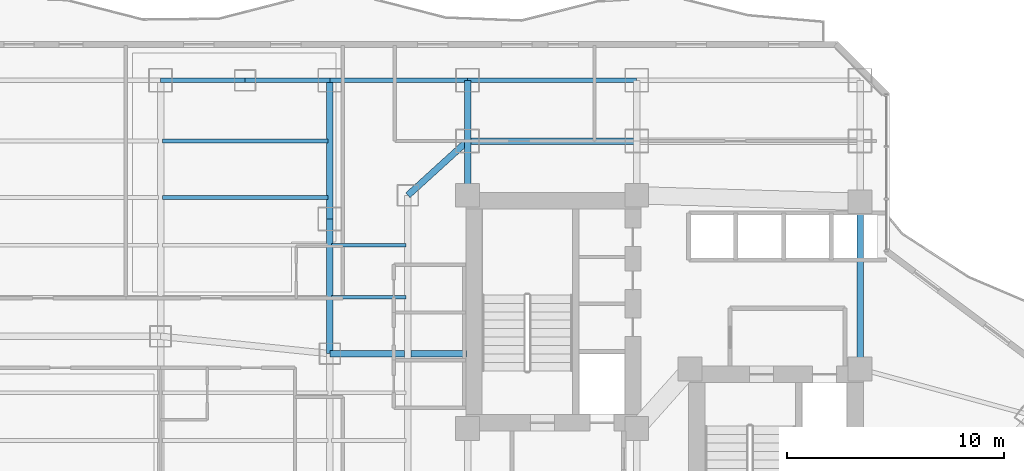
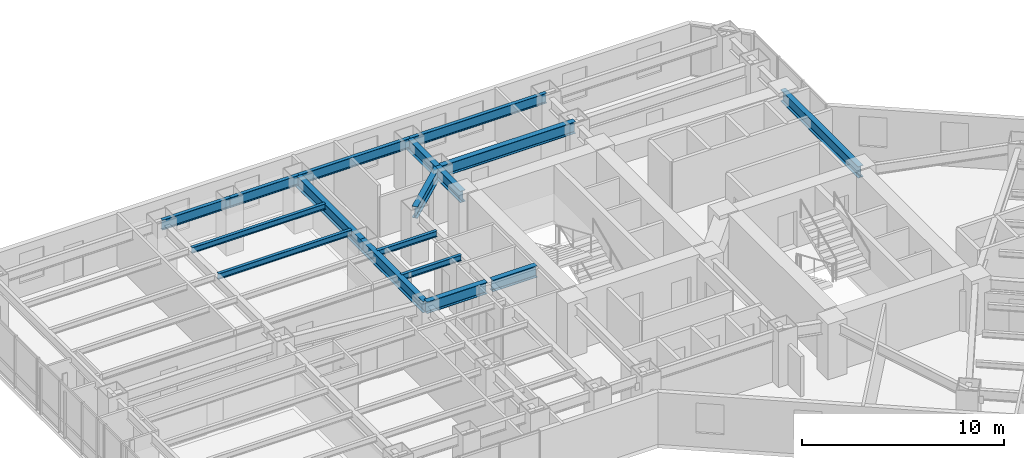
# One storey, part 17 of 37: 17 beams.
"""IFC4 building model written with IfcOpenShell, lengths in metres."""

from ifc_helpers import new_model, si_unit, direction, frame, origin, origin_2d, place, context, subcontext, project, spatial, i_section, extrude, material, material_profile, profile_set, type_object, element, save


model = new_model("IFC4")

# Units and contexts
model_context = context("Model", 3, precision=1e-05, world=origin(), true_north=direction((0.0, 1.0)))
body_context = subcontext(model_context, "Body", "Model", "MODEL_VIEW")
ifc_project = project(units=[si_unit("LENGTHUNIT", "METRE"), si_unit("AREAUNIT", "SQUARE_METRE"), si_unit("VOLUMEUNIT", "CUBIC_METRE"), si_unit("PLANEANGLEUNIT", "RADIAN"), si_unit("MASSUNIT", "GRAM", prefix="KILO")], contexts=[model_context])

# Site, building, storey
site_placement = place(None, origin())
site = spatial("IfcSite", under=ifc_project, at=site_placement, CompositionType="ELEMENT")
building_placement = place(site_placement, origin())
building = spatial("IfcBuilding", under=site, at=building_placement, Name="Hatsunagi Terrace Concourse", CompositionType="ELEMENT")
storey_placement = place(building_placement, frame((0.0, 0.0, 39.949951171875)))
storey = spatial("IfcBuildingStorey", under=building, at=storey_placement, Name="L09", CompositionType="ELEMENT", Elevation=39.949951171875)

# Beams
ifc_material_1 = material(Name="Steel SN490B", Category="steel")
ifc_material_profile_1 = material_profile(ifc_material_1, i_section(OverallWidth=0.300048828125, OverallDepth=0.699951171875, WebThickness=0.012939453125, FlangeThickness=0.02392578125, FilletRadius=0.02197265625, at=origin_2d()), Name="H-700x300x13x24")
ifc_profile_set_1 = profile_set([ifc_material_profile_1], Name="Steel SN490B")
beam_type_1 = type_object("IfcBeamType", Name="HotelFloorGirder_H_700x300", PredefinedType="BEAM", material=ifc_profile_set_1)
beam_1_placement = place(storey_placement, frame((43.64990234375, 35.300048828125, 2.780029296875), z_axis=(0.0, 1.0, 0.0), x_axis=(-1.0, 0.0, 0.0)))
element("IfcBeam", 1, at=beam_1_placement, inside=storey, type_object=beam_type_1, Name="Beam G-04 BM-L09-CBK3", PredefinedType="BEAM", context=body_context, shape_type="SweptSolid", body=[
    extrude(i_section(OverallWidth=0.300048828125, OverallDepth=0.699951171875, WebThickness=0.012939453125, FlangeThickness=0.02392578125, FilletRadius=0.02197265625, at=origin_2d()), origin(), (0.0, 0.0, 1.0), 7.699951171875),
])
beam_2_placement = place(storey_placement, frame((25.550048828125, 43.300048828125, 2.780029296875), z_axis=(0.0, 1.0, 0.0), x_axis=(-1.0, 0.0, 0.0)))
element("IfcBeam", 2, at=beam_2_placement, inside=storey, type_object=beam_type_1, Name="Beam G-04 BM-L09-CN1", PredefinedType="BEAM", context=body_context, shape_type="SweptSolid", body=[
    extrude(i_section(OverallWidth=0.300048828125, OverallDepth=0.699951171875, WebThickness=0.012939453125, FlangeThickness=0.02392578125, FilletRadius=0.02197265625, at=origin_2d()), origin(), (0.0, 0.0, 1.0), 2.5),
])
beam_3_placement = place(storey_placement, frame((25.550048828125, 45.800048828125, 2.780029296875), z_axis=(1.0, 0.0, 0.0), x_axis=(0.0, 1.0, 0.0)))
element("IfcBeam", 3, at=beam_3_placement, inside=storey, type_object=beam_type_1, Name="Beam G-04 BM-L09-CNEW1", PredefinedType="BEAM", context=body_context, shape_type="SweptSolid", body=[
    extrude(i_section(OverallWidth=0.300048828125, OverallDepth=0.699951171875, WebThickness=0.012939453125, FlangeThickness=0.02392578125, FilletRadius=0.02197265625, at=origin_2d()), origin(), (0.0, 0.0, 1.0), 7.800048828125),
])
beam_4_placement = place(storey_placement, frame((25.550048828125, 45.800048828125, 2.780029296875), z_axis=(0.0, 1.0, 0.0), x_axis=(-1.0, 0.0, 0.0)))
element("IfcBeam", 4, at=beam_4_placement, inside=storey, type_object=beam_type_1, Name="Beam G-04 BM-L09-KN-WN4", PredefinedType="BEAM", context=body_context, shape_type="SweptSolid", body=[
    extrude(i_section(OverallWidth=0.300048828125, OverallDepth=0.699951171875, WebThickness=0.012939453125, FlangeThickness=0.02392578125, FilletRadius=0.02197265625, at=origin_2d()), origin(), (0.0, 0.0, 1.0), 2.800048828125),
])
beam_5_placement = place(storey_placement, frame((22.800048828125, 43.300048828125, 2.780029296875), z_axis=(0.739940073396, 0.672672793996, 0.0), x_axis=(-0.672672793996, 0.739940073396, 0.0)))
element("IfcBeam", 5, at=beam_5_placement, inside=storey, type_object=beam_type_1, Name="Beam G-04 BM-L09-CWEW-N", PredefinedType="BEAM", context=body_context, shape_type="SweptSolid", body=[
    extrude(i_section(OverallWidth=0.300048828125, OverallDepth=0.699951171875, WebThickness=0.012939453125, FlangeThickness=0.02392578125, FilletRadius=0.02197265625, at=origin_2d()), origin(), (0.0, 0.0, 1.0), 3.716552734375),
])
beam_6_placement = place(storey_placement, frame((19.199951171875, 36.0, 2.780029296875), z_axis=(0.0, 1.0, 0.0), x_axis=(-1.0, 0.0, 0.0)))
element("IfcBeam", 6, at=beam_6_placement, inside=storey, type_object=beam_type_1, Name="Beam G-04 BM-L09-NS-19-36", PredefinedType="BEAM", context=body_context, shape_type="SweptSolid", body=[
    extrude(i_section(OverallWidth=0.300048828125, OverallDepth=0.699951171875, WebThickness=0.012939453125, FlangeThickness=0.02392578125, FilletRadius=0.02197265625, at=origin_2d()), origin(), (0.0, 0.0, 1.0), 6.199951171875),
])
beam_7_placement = place(storey_placement, frame((19.199951171875, 42.199951171875, 2.780029296875), z_axis=(0.0, 1.0, 0.0), x_axis=(-1.0, 0.0, 0.0)))
element("IfcBeam", 7, at=beam_7_placement, inside=storey, type_object=beam_type_1, Name="Beam G-04 BM-L09-NS-19-42", PredefinedType="BEAM", context=body_context, shape_type="SweptSolid", body=[
    extrude(i_section(OverallWidth=0.300048828125, OverallDepth=0.699951171875, WebThickness=0.012939453125, FlangeThickness=0.02392578125, FilletRadius=0.02197265625, at=origin_2d()), origin(), (0.0, 0.0, 1.0), 6.400146484375),
])
beam_8_placement = place(storey_placement, frame((19.199951171875, 36.0, 2.780029296875), z_axis=(1.0, 0.0, 0.0), x_axis=(0.0, 1.0, 0.0)))
element("IfcBeam", 8, at=beam_8_placement, inside=storey, type_object=beam_type_1, Name="Beam G-04 BM-L09-EW-3", PredefinedType="BEAM", context=body_context, shape_type="SweptSolid", body=[
    extrude(i_section(OverallWidth=0.300048828125, OverallDepth=0.699951171875, WebThickness=0.012939453125, FlangeThickness=0.02392578125, FilletRadius=0.02197265625, at=origin_2d()), origin(), (0.0, 0.0, 1.0), 3.449951171875),
])
beam_9_placement = place(storey_placement, frame((22.949951171875, 36.0, 2.780029296875), z_axis=(1.0, 0.0, 0.0), x_axis=(0.0, 1.0, 0.0)))
element("IfcBeam", 9, at=beam_9_placement, inside=storey, type_object=beam_type_1, Name="Beam G-04 BM-L09-EW-4", PredefinedType="BEAM", context=body_context, shape_type="SweptSolid", body=[
    extrude(i_section(OverallWidth=0.300048828125, OverallDepth=0.699951171875, WebThickness=0.012939453125, FlangeThickness=0.02392578125, FilletRadius=0.02197265625, at=origin_2d()), origin(), (0.0, 0.0, 1.0), 2.56005859375),
])
ifc_material_2 = material(Name="Steel SN490B", Category="steel")
ifc_material_profile_2 = material_profile(ifc_material_2, i_section(OverallWidth=0.175048828125, OverallDepth=0.35009765625, WebThickness=0.007080078125, FlangeThickness=0.010986328125, FilletRadius=0.012939453125, at=origin_2d()), Name="H-350x175x7x11")
ifc_profile_set_2 = profile_set([ifc_material_profile_2], Name="Steel SN490B")
beam_type_2 = type_object("IfcBeamType", Name="HotelJoist_H_350x175", PredefinedType="JOIST", material=ifc_profile_set_2)
for number, where, z_axis, x_axis, name in (
    (10, (19.284912109375, 38.60009765625, 2.955078125), (1.0, 0.0, 0.0), (0.0, 1.0, 0.0), "Beam J-02 J-L09-W-19-386"),
    (11, (19.284912109375, 41.0, 2.955078125), (1.0, 0.0, 0.0), (0.0, 1.0, 0.0), "Beam J-02 J-L09-W-19-410"),
):
    element("IfcBeam", number, at=place(storey_placement, frame(where, z_axis=z_axis, x_axis=x_axis)), inside=storey, type_object=beam_type_2, Name=name, PredefinedType="JOIST", context=body_context, shape_type="SweptSolid", body=[
        extrude(i_section(OverallWidth=0.175048828125, OverallDepth=0.35009765625, WebThickness=0.007080078125, FlangeThickness=0.010986328125, FilletRadius=0.012939453125, at=origin_2d()), origin(), (0.0, 0.0, 1.0), 3.43017578125),
    ])
for number, where, z_axis, x_axis, name in (
    (12, (11.485107421875, 43.199951171875, 2.955078125), (1.0, 0.0, 0.0), (0.0, 1.0, 0.0), "Beam J-02 J-L09-W-11-432"),
    (13, (11.485107421875, 45.800048828125, 2.955078125), (1.0, 0.0, 0.0), (0.0, 1.0, 0.0), "Beam J-02 J-L09-W-11-458"),
):
    element("IfcBeam", number, at=place(storey_placement, frame(where, z_axis=z_axis, x_axis=x_axis)), inside=storey, type_object=beam_type_2, Name=name, PredefinedType="JOIST", context=body_context, shape_type="SweptSolid", body=[
        extrude(i_section(OverallWidth=0.175048828125, OverallDepth=0.35009765625, WebThickness=0.007080078125, FlangeThickness=0.010986328125, FilletRadius=0.012939453125, at=origin_2d()), origin(), (0.0, 0.0, 1.0), 7.6298828125),
    ])
ifc_material_3 = material(Name="Steel SN490B", Category="steel")
ifc_material_profile_3 = material_profile(ifc_material_3, i_section(OverallWidth=0.199951171875, OverallDepth=0.60009765625, WebThickness=0.010986328125, FlangeThickness=0.01708984375, FilletRadius=0.01806640625, at=origin_2d()), Name="H-600x200x11x17")
ifc_profile_set_3 = profile_set([ifc_material_profile_3], Name="Steel SN490B")
beam_type_3 = type_object("IfcBeamType", Name="PerimeterSpandrel_H_600x200", PredefinedType="SPANDREL", material=ifc_profile_set_3)
beam_10_placement = place(storey_placement, frame((11.39990234375, 48.60009765625, 2.830078125), z_axis=(1.0, 0.0, 0.0), x_axis=(0.0, 1.0, 0.0)))
element("IfcBeam", 14, at=beam_10_placement, inside=storey, type_object=beam_type_3, Name="Beam SP-01 BM-L09-WN-11", PredefinedType="SPANDREL", context=body_context, shape_type="SweptSolid", body=[
    extrude(i_section(OverallWidth=0.199951171875, OverallDepth=0.60009765625, WebThickness=0.010986328125, FlangeThickness=0.01708984375, FilletRadius=0.01806640625, at=origin_2d()), origin(), (0.0, 0.0, 1.0), 3.900146484375),
])
beam_11_placement = place(storey_placement, frame((15.300048828125, 48.60009765625, 2.830078125), z_axis=(1.0, 0.0, 0.0), x_axis=(0.0, 1.0, 0.0)))
element("IfcBeam", 15, at=beam_11_placement, inside=storey, type_object=beam_type_3, Name="Beam SP-01 BM-L09-WN-15", PredefinedType="SPANDREL", context=body_context, shape_type="SweptSolid", body=[
    extrude(i_section(OverallWidth=0.199951171875, OverallDepth=0.60009765625, WebThickness=0.010986328125, FlangeThickness=0.01708984375, FilletRadius=0.01806640625, at=origin_2d()), origin(), (0.0, 0.0, 1.0), 3.89990234375),
])
beam_12_placement = place(storey_placement, frame((19.199951171875, 48.60009765625, 2.830078125), z_axis=(1.0, 0.0, 0.0), x_axis=(0.0, 1.0, 0.0)))
element("IfcBeam", 16, at=beam_12_placement, inside=storey, type_object=beam_type_3, Name="Beam SP-01 BM-L09-WN-19", PredefinedType="SPANDREL", context=body_context, shape_type="SweptSolid", body=[
    extrude(i_section(OverallWidth=0.199951171875, OverallDepth=0.60009765625, WebThickness=0.010986328125, FlangeThickness=0.01708984375, FilletRadius=0.01806640625, at=origin_2d()), origin(), (0.0, 0.0, 1.0), 6.35009765625),
])
beam_13_placement = place(storey_placement, frame((25.550048828125, 48.60009765625, 2.830078125), z_axis=(1.0, 0.0, 0.0), x_axis=(0.0, 1.0, 0.0)))
element("IfcBeam", 17, at=beam_13_placement, inside=storey, type_object=beam_type_3, Name="Beam SP-01 BM-L09-WN-25", PredefinedType="SPANDREL", context=body_context, shape_type="SweptSolid", body=[
    extrude(i_section(OverallWidth=0.199951171875, OverallDepth=0.60009765625, WebThickness=0.010986328125, FlangeThickness=0.01708984375, FilletRadius=0.01806640625, at=origin_2d()), origin(), (0.0, 0.0, 1.0), 7.800048828125),
])

save(model, "model.ifc")
